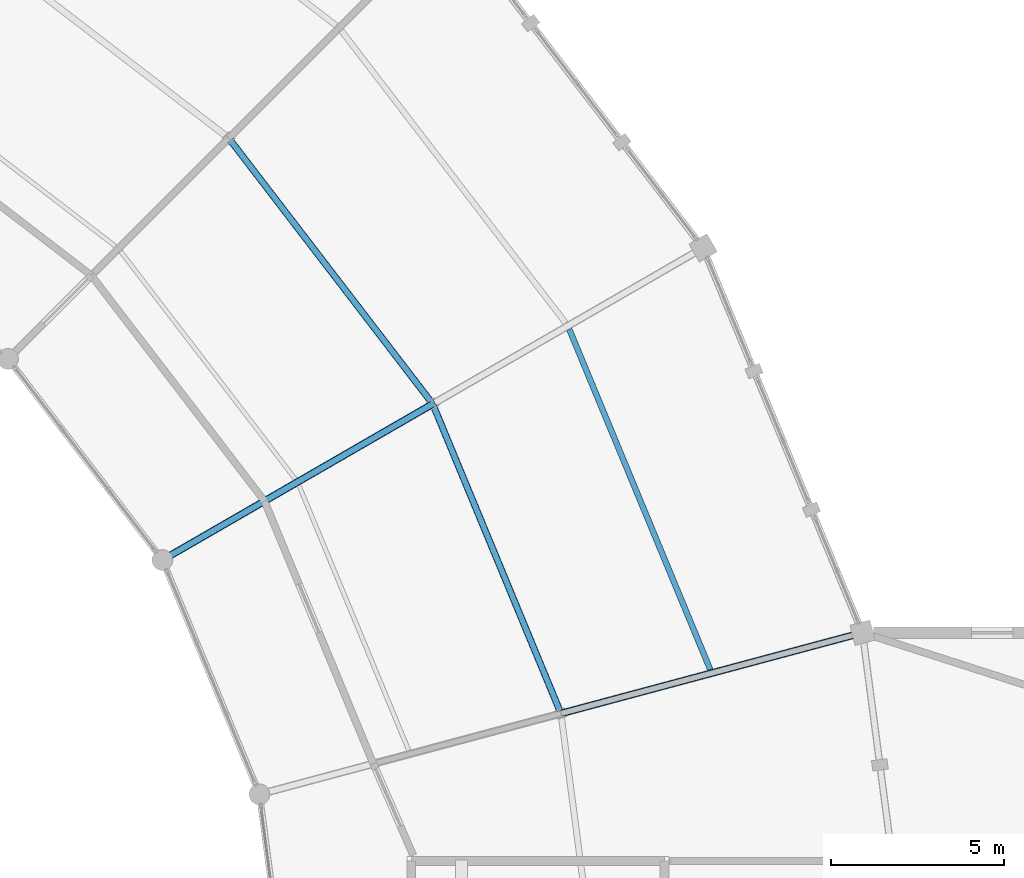
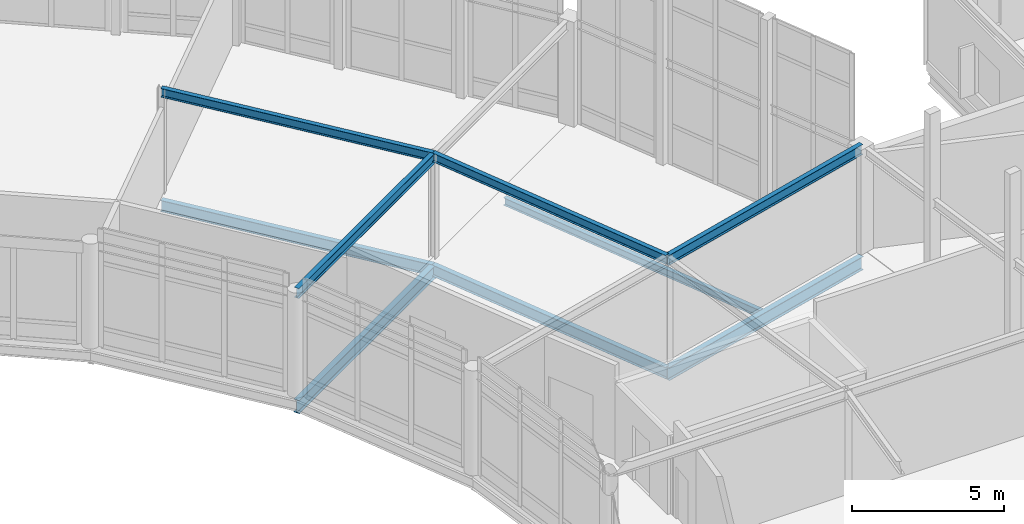
# One storey, part 122 of 185: 9 beams.
"""IFC4 building model written with IfcOpenShell, lengths in metres."""

import ifcopenshell
import ifcopenshell.guid

model = None  # the IFC model being written
_history = None  # IfcOwnerHistory: only IFC2X3 demands one
_inside = {}  # id of a spatial element -> (the spatial element, [elements in it])
_under = {}  # id of a project, library or spatial element -> (it, [spatial elements below it])
_declared = {}  # id of a project -> (the project, [libraries it declares])
_typed = {}  # id of a type object -> (the type object, [elements of that type])
_made_of = {}  # id of a material, layer set ... -> (it, [elements and type objects made of it])


def new_model(schema):
    """Start an empty IFC model of exactly this schema.

    Asked for "IFC4X3", IfcOpenShell would pick the latest addendum, in which some entities
    have other attributes; the version numbers below select the first issue.
    IFC2X3 requires an IfcOwnerHistory on every rooted entity: one is made here for all.
    """
    global model, _history
    if schema == "IFC4X3":
        model = ifcopenshell.file(schema_version=(4, 3, 0, 0))
    else:
        model = ifcopenshell.file(schema=schema)
    _inside.clear()
    _under.clear()
    _declared.clear()
    _typed.clear()
    _made_of.clear()
    _history = None
    if model.schema == "IFC2X3":
        org = make("IfcOrganization", Name="unknown")
        user = make(
            "IfcPersonAndOrganization",
            ThePerson=make("IfcPerson", FamilyName="unknown"),
            TheOrganization=org,
        )
        app = make(
            "IfcApplication",
            ApplicationDeveloper=org,
            Version="unknown",
            ApplicationFullName="unknown",
            ApplicationIdentifier="unknown",
        )
        _history = make(
            "IfcOwnerHistory",
            OwningUser=user,
            OwningApplication=app,
            ChangeAction="ADDED",
            CreationDate=0,
        )
    return model


def make(cls, **values):
    """One entity of the class cls with the attributes given. An attribute that is None is left unset."""
    return model.create_entity(
        cls, **{name: value for name, value in values.items() if value is not None}
    )


def rooted(cls, **values):
    """An entity with a GlobalId (a new one), such as an element, a storey or a relation."""
    return make(cls, GlobalId=ifcopenshell.guid.new(), OwnerHistory=_history, **values)


def si_unit(unit_type, name, prefix=None):
    """IfcSIUnit, for example si_unit("LENGTHUNIT", "METRE", prefix="MILLI")."""
    return make("IfcSIUnit", UnitType=unit_type, Prefix=prefix, Name=name)


def assignment(units):
    """IfcUnitAssignment: the units of a project."""
    return None if units is None else make("IfcUnitAssignment", Units=units)


def point(xyz):
    """IfcCartesianPoint."""
    return None if xyz is None else make("IfcCartesianPoint", Coordinates=xyz)


def direction(xyz):
    """IfcDirection."""
    return None if xyz is None else make("IfcDirection", DirectionRatios=xyz)


def frame(location, z_axis=None, x_axis=None):
    """IfcAxis2Placement3D, a coordinate frame: its origin and axes. An axis left out is left unset."""
    return make(
        "IfcAxis2Placement3D",
        Location=point(location),
        Axis=direction(z_axis),
        RefDirection=direction(x_axis),
    )


def frame_2d(location, x_axis=None):
    """IfcAxis2Placement2D, a coordinate frame in the plane: its origin and x axis."""
    return make(
        "IfcAxis2Placement2D", Location=point(location), RefDirection=direction(x_axis)
    )


def origin():
    """The frame at (0, 0, 0) with its axes left unset."""
    return frame((0.0, 0.0, 0.0))


def origin_2d():
    """The frame at (0, 0) in the plane with its x axis left unset."""
    return frame_2d((0.0, 0.0))


def place(relative_to, where):
    """IfcLocalPlacement: puts the frame where relative to a parent placement (None: the world)."""
    return make(
        "IfcLocalPlacement", PlacementRelTo=relative_to, RelativePlacement=where
    )


def context(
    kind, dimensions, precision=None, world=None, true_north=None, identifier=None
):
    """IfcGeometricRepresentationContext, for example the 3D "Model" context."""
    return make(
        "IfcGeometricRepresentationContext",
        ContextIdentifier=identifier,
        ContextType=kind,
        CoordinateSpaceDimension=dimensions,
        Precision=precision,
        WorldCoordinateSystem=world,
        TrueNorth=true_north,
    )


def subcontext(parent, identifier, kind, view, scale=None):
    """IfcGeometricRepresentationSubContext, for example "Body" below "Model"."""
    return make(
        "IfcGeometricRepresentationSubContext",
        ContextIdentifier=identifier,
        ContextType=kind,
        ParentContext=parent,
        TargetScale=scale,
        TargetView=view,
    )


def project(units=None, contexts=None):
    """IfcProject with its units and contexts."""
    return rooted(
        "IfcProject",
        Name="project",
        RepresentationContexts=contexts,
        UnitsInContext=assignment(units),
    )


def spatial(cls, under=None, at=None, **own):
    """A site, building, storey or space (cls), placed at a placement, below another one or the project."""
    s = rooted(cls, ObjectPlacement=at, **own)
    if under is not None:
        _under.setdefault(under.id(), (under, []))[1].append(s)
    return s


def profile(cls, at=None, kind="AREA", **sizes):
    """A parametric profile (cls). Its sizes go by their IFC names, for example OverallWidth=200.0."""
    return make(cls, ProfileType=kind, Position=at, **sizes)


def i_section(**sizes):
    """IfcIShapeProfileDef."""
    return profile("IfcIShapeProfileDef", **sizes)


def extrude(swept, where, along, depth):
    """IfcExtrudedAreaSolid: the profile swept, set in the frame where, extruded along a direction by depth."""
    return make(
        "IfcExtrudedAreaSolid",
        SweptArea=swept,
        Position=where,
        ExtrudedDirection=direction(along),
        Depth=depth,
    )


def shape(context_of_items, identifier, shape_type, items):
    """IfcShapeRepresentation: the items that make up one representation, for example the "Body"."""
    return make(
        "IfcShapeRepresentation",
        ContextOfItems=context_of_items,
        RepresentationIdentifier=identifier,
        RepresentationType=shape_type,
        Items=items,
    )


def material(Name=None, Category=None):
    """IfcMaterial."""
    return make("IfcMaterial", Name=Name, Category=Category)


def material_profile(
    of_material, cross_section, Name=None, Category=None, Priority=None
):
    """IfcMaterialProfile: a cross section and its material."""
    return make(
        "IfcMaterialProfile",
        Name=Name,
        Material=of_material,
        Profile=cross_section,
        Priority=Priority,
        Category=Category,
    )


def profile_set(profiles, Name=None, composite=None):
    """IfcMaterialProfileSet."""
    return make(
        "IfcMaterialProfileSet",
        Name=Name,
        MaterialProfiles=profiles,
        CompositeProfile=composite,
    )


def made_of(thing, what):
    """Note that an element or type object is made of a material, layer set ...; save() writes the relation."""
    if what is not None:
        _made_of.setdefault(what.id(), (what, []))[1].append(thing)
    return thing


def type_object(cls, material=None, **own):
    """A type object (cls), such as IfcWallType, which elements share."""
    return made_of(rooted(cls, **own), material)


def element(
    cls,
    number,
    at=None,
    inside=None,
    cuts=None,
    type_object=None,
    material=None,
    context=None,
    identifier="Body",
    shape_type=None,
    held_by="IfcProductDefinitionShape",
    body=None,
    shapes=None,
    **own,
):
    """One element of the class cls, such as IfcWall. Its Tag is "e" and its number.

    at: its placement. inside: the storey or other place that contains it. cuts: it is an
    opening in that element (IfcRelVoidsElement). A single representation is given by context,
    identifier, shape_type and body (its items); several are given by shapes. held_by: the class
    of the entity that holds the representations. save() writes the other relations.
    """
    e = rooted(cls, Tag="e%d" % number, ObjectPlacement=at, **own)
    if body is not None:
        shapes = [shape(context, identifier, shape_type, body)]
    if shapes is not None:
        e.Representation = make(held_by, Representations=shapes)
    if inside is not None:
        _inside.setdefault(inside.id(), (inside, []))[1].append(e)
    if cuts is not None:
        rooted(
            "IfcRelVoidsElement", RelatingBuildingElement=cuts, RelatedOpeningElement=e
        )
    if type_object is not None:
        _typed.setdefault(type_object.id(), (type_object, []))[1].append(e)
    return made_of(e, material)


def aggregate(whole, parts):
    """IfcRelAggregates: a whole, such as a stair, and the parts it consists of."""
    return rooted("IfcRelAggregates", RelatingObject=whole, RelatedObjects=parts)


def save(model, path):
    """Write the relations noted so far, then the file.

    IfcRelAggregates (storeys below a building ...), IfcRelContainedInSpatialStructure (elements
    in a storey), IfcRelDefinesByType, IfcRelAssociatesMaterial and IfcRelDeclares: one each for
    every whole, place, type object, material and project.
    """
    for whole, parts in _under.values():
        aggregate(whole, parts)
    for where, things in _inside.values():
        rooted(
            "IfcRelContainedInSpatialStructure",
            RelatedElements=things,
            RelatingStructure=where,
        )
    for kind, things in _typed.values():
        rooted("IfcRelDefinesByType", RelatedObjects=things, RelatingType=kind)
    for what, things in _made_of.values():
        rooted("IfcRelAssociatesMaterial", RelatedObjects=things, RelatingMaterial=what)
    for by, libraries in _declared.values():
        rooted("IfcRelDeclares", RelatingContext=by, RelatedDefinitions=libraries)
    model.write(path)


model = new_model("IFC4")

# Units and contexts
model_context = context("Model", 3, precision=1e-05, world=origin(), true_north=direction((0.0, 1.0)))
body_context = subcontext(model_context, "Body", "Model", "MODEL_VIEW")
ifc_project = project(units=[si_unit("LENGTHUNIT", "METRE"), si_unit("AREAUNIT", "SQUARE_METRE"), si_unit("VOLUMEUNIT", "CUBIC_METRE"), si_unit("PLANEANGLEUNIT", "RADIAN"), si_unit("MASSUNIT", "GRAM", prefix="KILO")], contexts=[model_context])

# Site, building, storey
site_placement = place(None, origin())
site = spatial("IfcSite", under=ifc_project, at=site_placement, CompositionType="ELEMENT")
building_placement = place(site_placement, origin())
building = spatial("IfcBuilding", under=site, at=building_placement, Name="Vondelvale Polytechnic", CompositionType="ELEMENT")
storey_placement = place(building_placement, frame((0.0, 0.0, 9.60009765625)))
storey = spatial("IfcBuildingStorey", under=building, at=storey_placement, Name="L02", CompositionType="ELEMENT", Elevation=9.60009765625)

# Beams
ifc_material = material(Name="Steel 300PLUS (fy = 300 MPa)", Category="steel")
ifc_material_profile_1 = material_profile(ifc_material, i_section(OverallWidth=0.1708984375, OverallDepth=0.35205078125, WebThickness=0.0068359375, FlangeThickness=0.009765625, FilletRadius=0.011474609375, at=origin_2d()), Name="360UB44.7")
ifc_profile_set_1 = profile_set([ifc_material_profile_1], Name="Steel 300PLUS (fy = 300 MPa)")
beam_type_1 = type_object("IfcBeamType", Name="BM-UB360L", PredefinedType="BEAM", material=ifc_profile_set_1)
for number, where, z_axis, x_axis, name in (
    (1, (137.7392578125, 81.576416015625, 4.02392578125), (-0.38268516011, 0.923878816854, 0.0), (-0.923878816854, -0.38268516011, 0.0), "L02 RE B-24"),
    (2, (134.04296875, 90.5, 4.02392578125), (-0.60874775518, 0.793363832402, 0.0), (-0.793363832402, -0.60874775518, 0.0), "L02 RE B-24"),
):
    element("IfcBeam", number, at=place(storey_placement, frame(where, z_axis=z_axis, x_axis=x_axis)), inside=storey, type_object=beam_type_1, Name=name, PredefinedType="BEAM", context=body_context, shape_type="SweptSolid", body=[
        extrude(i_section(OverallWidth=0.1708984375, OverallDepth=0.35205078125, WebThickness=0.0068359375, FlangeThickness=0.009765625, FilletRadius=0.011474609375, at=origin_2d()), origin(), (0.0, 0.0, 1.0), 9.658935546875),
    ])
ifc_material_profile_2 = material_profile(ifc_material, i_section(OverallWidth=0.177978515625, OverallDepth=0.403076171875, WebThickness=0.007568359375, FlangeThickness=0.010986328125, FilletRadius=0.011474609375, at=origin_2d()), Name="410UB53.7")
ifc_profile_set_2 = profile_set([ifc_material_profile_2], Name="Steel 300PLUS (fy = 300 MPa)")
beam_type_2 = type_object("IfcBeamType", Name="BM-UB410L", PredefinedType="BEAM", material=ifc_profile_set_2)
for number, where, z_axis, x_axis, name in (
    (3, (137.7392578125, 81.576416015625, 3.998291015625), (0.965926740751, 0.25881563226, 0.0), (-0.25881563226, 0.965926740751, 0.0), "L02 REG B-23"),
    (4, (126.248779296875, 86.0, 3.998291015625), (0.866024315419, 0.5000018851, 0.0), (-0.5000018851, 0.866024315419, 0.0), "L02 REG B-23"),
):
    element("IfcBeam", number, at=place(storey_placement, frame(where, z_axis=z_axis, x_axis=x_axis)), inside=storey, type_object=beam_type_2, Name=name, PredefinedType="BEAM", context=body_context, shape_type="SweptSolid", body=[
        extrude(i_section(OverallWidth=0.177978515625, OverallDepth=0.403076171875, WebThickness=0.007568359375, FlangeThickness=0.010986328125, FilletRadius=0.011474609375, at=origin_2d()), origin(), (0.0, 0.0, 1.0), 9.0),
    ])
ifc_material_profile_3 = material_profile(ifc_material, i_section(OverallWidth=0.18994140625, OverallDepth=0.4541015625, WebThickness=0.008544921875, FlangeThickness=0.0126953125, FilletRadius=0.011474609375, at=origin_2d()), Name="460UB67.1")
ifc_profile_set_3 = profile_set([ifc_material_profile_3], Name="Steel 300PLUS (fy = 300 MPa)")
beam_type_3 = type_object("IfcBeamType", Name="BM-UB460L", PredefinedType="BEAM", material=ifc_profile_set_3)
for number, where, z_axis, x_axis, name in (
    (5, (137.7392578125, 81.576416015625, -0.507080078125), (-0.38268516011, 0.923878816854, 0.0), (-0.923878816854, -0.38268516011, 0.0), "L02 RB B-22"),
    (6, (134.04296875, 90.5, -0.507080078125), (-0.60874775518, 0.793363832402, 0.0), (-0.793363832402, -0.60874775518, 0.0), "L02 RB B-22"),
):
    element("IfcBeam", number, at=place(storey_placement, frame(where, z_axis=z_axis, x_axis=x_axis)), inside=storey, type_object=beam_type_3, Name=name, PredefinedType="BEAM", context=body_context, shape_type="SweptSolid", body=[
        extrude(i_section(OverallWidth=0.18994140625, OverallDepth=0.4541015625, WebThickness=0.008544921875, FlangeThickness=0.0126953125, FilletRadius=0.011474609375, at=origin_2d()), origin(), (0.0, 0.0, 1.0), 9.658935546875),
    ])
ifc_material_profile_4 = material_profile(ifc_material, i_section(OverallWidth=0.208984375, OverallDepth=0.532958984375, WebThickness=0.01025390625, FlangeThickness=0.015625, FilletRadius=0.013916015625, at=origin_2d()), Name="530UB92.4")
ifc_profile_set_4 = profile_set([ifc_material_profile_4], Name="Steel 300PLUS (fy = 300 MPa)")
beam_type_4 = type_object("IfcBeamType", Name="BM-UB530", PredefinedType="BEAM", material=ifc_profile_set_4)
beam_1_placement = place(storey_placement, frame((137.7392578125, 81.576416015625, -0.546630859375), z_axis=(0.965926740751, 0.25881563226, 0.0), x_axis=(-0.25881563226, 0.965926740751, 0.0)))
element("IfcBeam", 7, at=beam_1_placement, inside=storey, type_object=beam_type_4, Name="L02 RG B-11", PredefinedType="BEAM", context=body_context, shape_type="SweptSolid", body=[
    extrude(i_section(OverallWidth=0.208984375, OverallDepth=0.532958984375, WebThickness=0.01025390625, FlangeThickness=0.015625, FilletRadius=0.013916015625, at=origin_2d()), origin(), (0.0, 0.0, 1.0), 9.0),
])
ifc_material_profile_5 = material_profile(ifc_material, i_section(OverallWidth=0.208984375, OverallDepth=0.528076171875, WebThickness=0.009521484375, FlangeThickness=0.01318359375, FilletRadius=0.013916015625, at=origin_2d()), Name="530UB82.0")
ifc_profile_set_5 = profile_set([ifc_material_profile_5], Name="Steel 300PLUS (fy = 300 MPa)")
beam_type_5 = type_object("IfcBeamType", Name="BM-UB530L", PredefinedType="BEAM", material=ifc_profile_set_5)
beam_2_placement = place(storey_placement, frame((126.248779296875, 86.0, -0.544189453125), z_axis=(0.866024315419, 0.5000018851, 0.0), x_axis=(-0.5000018851, 0.866024315419, 0.0)))
element("IfcBeam", 8, at=beam_2_placement, inside=storey, type_object=beam_type_5, Name="L02 RG B-21", PredefinedType="BEAM", context=body_context, shape_type="SweptSolid", body=[
    extrude(i_section(OverallWidth=0.208984375, OverallDepth=0.528076171875, WebThickness=0.009521484375, FlangeThickness=0.01318359375, FilletRadius=0.013916015625, at=origin_2d()), origin(), (0.0, 0.0, 1.0), 9.0),
])
ifc_material_profile_6 = material_profile(ifc_material, i_section(OverallWidth=0.1650390625, OverallDepth=0.303955078125, WebThickness=0.006103515625, FlangeThickness=0.01025390625, FilletRadius=0.011474609375, at=origin_2d()), Name="310UB40.4")
ifc_profile_set_6 = profile_set([ifc_material_profile_6], Name="Steel 300PLUS (fy = 300 MPa)")
beam_type_6 = type_object("IfcBeamType", Name="JST-UB310", PredefinedType="JOIST", material=ifc_profile_set_6)
beam_3_placement = place(storey_placement, frame((142.043701171875, 82.842529296875, -0.43212890625), z_axis=(-0.382666002839, 0.923886751865, 0.0), x_axis=(-0.923886751865, -0.382666002839, 0.0)))
element("IfcBeam", 9, at=beam_3_placement, inside=storey, type_object=beam_type_6, Name="L02 RJ J-05", PredefinedType="JOIST", context=body_context, shape_type="SweptSolid", body=[
    extrude(i_section(OverallWidth=0.1650390625, OverallDepth=0.303955078125, WebThickness=0.006103515625, FlangeThickness=0.01025390625, FilletRadius=0.011474609375, at=origin_2d()), origin(), (0.0, 0.0, 1.0), 10.61376953125),
])

save(model, "model.ifc")
